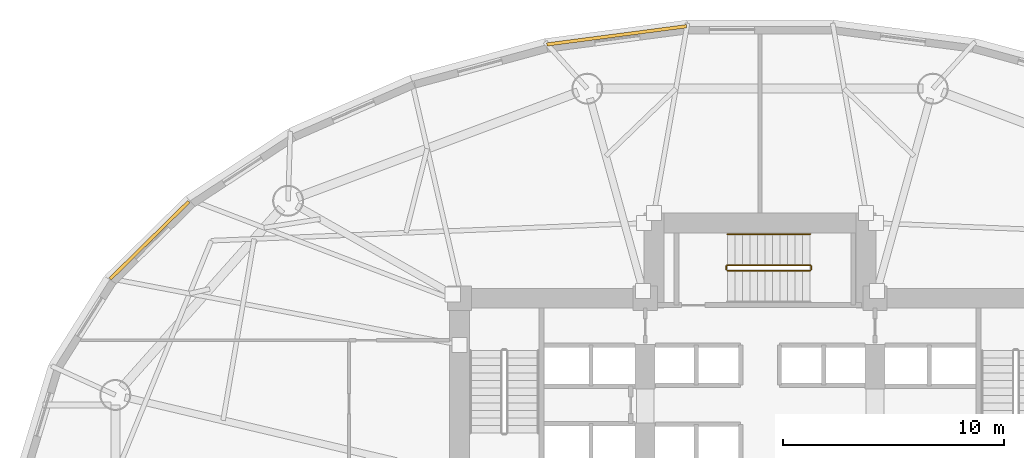
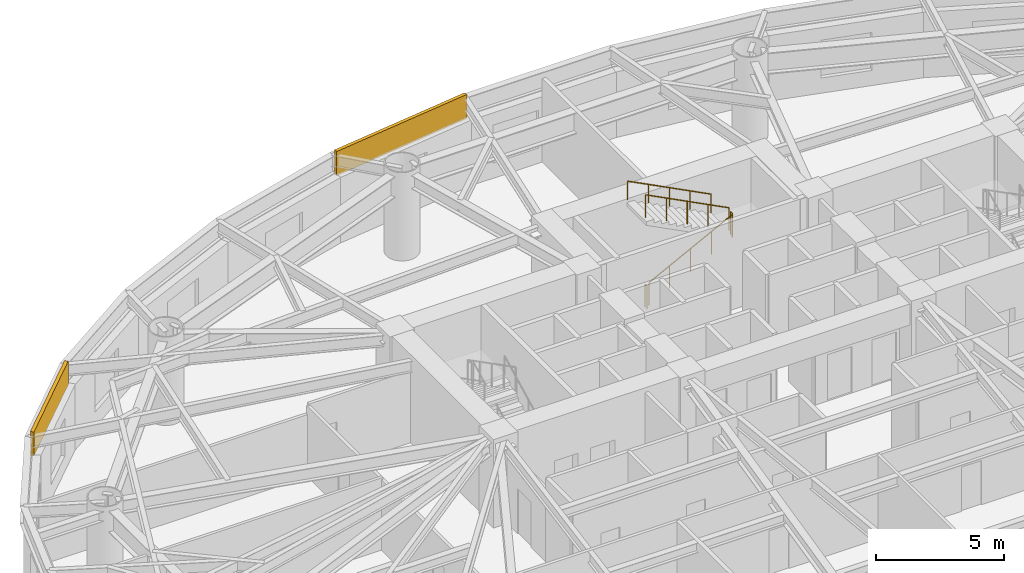
# One storey, part 13 of 14: 5 railings, 2 coverings.
"""IFC4 building model written with IfcOpenShell, lengths in metres."""

from ifc_helpers import new_model, si_unit, direction, frame, origin, origin_2d, place, context, subcontext, project, spatial, rectangle, circle, extrude, material, layer, layer_set, type_object, element, save


model = new_model("IFC4")

# Units and contexts
model_context = context("Model", 3, precision=1e-05, world=origin(), true_north=direction((0.0, 1.0)))
body_context = subcontext(model_context, "Body", "Model", "MODEL_VIEW")
ifc_project = project(units=[si_unit("LENGTHUNIT", "METRE"), si_unit("AREAUNIT", "SQUARE_METRE"), si_unit("VOLUMEUNIT", "CUBIC_METRE"), si_unit("PLANEANGLEUNIT", "RADIAN"), si_unit("MASSUNIT", "GRAM", prefix="KILO")], contexts=[model_context])

# Site, building, storey
site_placement = place(None, origin())
site = spatial("IfcSite", under=ifc_project, at=site_placement, CompositionType="ELEMENT")
building_placement = place(site_placement, origin())
building = spatial("IfcBuilding", under=site, at=building_placement, Name="Keldmark Tower", CompositionType="ELEMENT")
storey_placement = place(building_placement, frame((0.0, 0.0, 18.60009765625)))
storey = spatial("IfcBuildingStorey", under=building, at=storey_placement, Name="L04", CompositionType="ELEMENT", Elevation=18.60009765625)

# Coverings
ifc_material_1 = material(Name="Honed Kasota Buff Dolomitic Limestone", Category="masonry")
ifc_layer = layer(ifc_material_1, 0.074951171875)
ifc_layer_set = layer_set([ifc_layer], Name="Honed Kasota Buff Dolomitic Limestone")
covering_type = type_object("IfcCoveringType", Name="Kasota Buff Limestone Spandrel Cladding Band", PredefinedType="CLADDING", material=ifc_layer_set)
covering_1_placement = place(storey_placement, frame((-6.487060546875, 21.344482421875, 3.032958984375), z_axis=(0.0, 0.0, 1.0), x_axis=(-0.991574223108, -0.129539801092, 0.0)))
element("IfcCovering", 1, at=covering_1_placement, inside=storey, type_object=covering_type, Name="L04 Kasota Limestone Spandrel Band 09", PredefinedType="CLADDING", context=body_context, shape_type="SweptSolid", body=[
    extrude(rectangle(XDim=6.37548828125, YDim=0.14990234375, at=origin_2d()), origin(), (0.0, 0.0, 1.0), 1.14697265625),
])
covering_2_placement = place(storey_placement, frame((-27.62890625, 12.071044921875, 3.032958984375), z_axis=(0.0, 0.0, 1.0), x_axis=(-0.713189280566, -0.700971504475, 0.0)))
element("IfcCovering", 2, at=covering_2_placement, inside=storey, type_object=covering_type, Name="L04 Kasota Limestone Spandrel Band 13", PredefinedType="CLADDING", context=body_context, shape_type="SweptSolid", body=[
    extrude(rectangle(XDim=4.995849609375, YDim=0.14990234375, at=origin_2d()), origin(), (0.0, 0.0, 1.0), 1.14697265625),
])

# Railings
ifc_material_2 = material(Name="Painted Steel ASTM A500 Grade B", Category="steel")
railing_type_1 = type_object("IfcRailingType", Name="Painted Steel Stair Well Guard 1100 mm", PredefinedType="GUARDRAIL", material=ifc_material_2)
railing_1_placement = place(storey_placement, frame((-1.47509765625, 10.699951171875, 0.1748046875)))
element("IfcRailing", 3, at=railing_1_placement, inside=storey, type_object=railing_type_1, Name="L04 ST3 stair guard 1", PredefinedType="GUARDRAIL", context=body_context, shape_type="SweptSolid", body=[
    extrude(circle(Radius=0.02392578125, at=origin_2d()), frame((0.0, 0.0, 1.076171875), z_axis=(0.889130600629, 0.0, 0.457653553493), x_axis=(0.0, 1.0, 0.0)), (0.0, 0.0, 1.0), 4.206298828125),
    extrude(circle(Radius=0.02099609375, at=origin_2d()), origin(), (0.0, 0.0, 1.0), 1.052001953125),
    extrude(circle(Radius=0.02099609375, at=origin_2d()), frame((0.93505859375, 0.0, 0.481201171875)), (0.0, 0.0, 1.0), 1.052001953125),
    extrude(circle(Radius=0.02099609375, at=origin_2d()), frame((1.8701171875, 0.0, 0.96240234375)), (0.0, 0.0, 1.0), 1.052001953125),
    extrude(circle(Radius=0.02099609375, at=origin_2d()), frame((2.804931640625, 0.0, 1.44384765625)), (0.0, 0.0, 1.0), 1.052001953125),
    extrude(circle(Radius=0.02099609375, at=origin_2d()), frame((3.739990234375, 0.0, 1.925048828125)), (0.0, 0.0, 1.0), 1.052001953125),
])
railing_2_placement = place(storey_placement, frame((2.31494140625, 10.75, 2.099853515625)))
element("IfcRailing", 4, at=railing_2_placement, inside=storey, type_object=railing_type_1, Name="L04 ST3 stair guard 2", PredefinedType="GUARDRAIL", context=body_context, shape_type="SweptSolid", body=[
    extrude(circle(Radius=0.02392578125, at=origin_2d()), frame((0.0, 0.0, 1.076171875), z_axis=(0.0, 1.0, 0.0), x_axis=(-1.0, 0.0, 0.0)), (0.0, 0.0, 1.0), 0.14990234375),
    extrude(circle(Radius=0.02099609375, at=origin_2d()), origin(), (0.0, 0.0, 1.0), 1.052001953125),
    extrude(circle(Radius=0.02099609375, at=origin_2d()), frame((0.0, 0.14990234375, 0.0)), (0.0, 0.0, 1.0), 1.052001953125),
])
railing_3_placement = place(storey_placement, frame((2.264892578125, 10.949951171875, 2.27490234375)))
element("IfcRailing", 5, at=railing_3_placement, inside=storey, type_object=railing_type_1, Name="L04 ST3 stair guard 3", PredefinedType="GUARDRAIL", context=body_context, shape_type="SweptSolid", body=[
    extrude(circle(Radius=0.02392578125, at=origin_2d()), frame((0.0, 0.0, 1.076171875), z_axis=(-0.889130600629, 0.0, 0.457653553493), x_axis=(0.0, -1.0, 0.0)), (0.0, 0.0, 1.0), 4.206298828125),
    extrude(circle(Radius=0.02099609375, at=origin_2d()), origin(), (0.0, 0.0, 1.0), 1.052001953125),
    extrude(circle(Radius=0.02099609375, at=origin_2d()), frame((-0.93505859375, 0.0, 0.481201171875)), (0.0, 0.0, 1.0), 1.052001953125),
    extrude(circle(Radius=0.02099609375, at=origin_2d()), frame((-1.8701171875, 0.0, 0.96240234375)), (0.0, 0.0, 1.0), 1.052001953125),
    extrude(circle(Radius=0.02099609375, at=origin_2d()), frame((-2.804931640625, 0.0, 1.44384765625)), (0.0, 0.0, 1.0), 1.052001953125),
    extrude(circle(Radius=0.02099609375, at=origin_2d()), frame((-3.739990234375, 0.0, 1.925048828125)), (0.0, 0.0, 1.0), 1.052001953125),
])
railing_4_placement = place(storey_placement, frame((-1.52490234375, 10.75, 0.0)))
element("IfcRailing", 6, at=railing_4_placement, inside=storey, type_object=railing_type_1, Name="L04 ST3 stair guard 4", PredefinedType="GUARDRAIL", context=body_context, shape_type="SweptSolid", body=[
    extrude(circle(Radius=0.02392578125, at=origin_2d()), frame((0.0, 0.0, 1.076171875), z_axis=(0.0, 1.0, 0.0), x_axis=(-1.0, 0.0, 0.0)), (0.0, 0.0, 1.0), 0.14990234375),
    extrude(circle(Radius=0.02099609375, at=origin_2d()), origin(), (0.0, 0.0, 1.0), 1.052001953125),
    extrude(circle(Radius=0.02099609375, at=origin_2d()), frame((0.0, 0.14990234375, 0.0)), (0.0, 0.0, 1.0), 1.052001953125),
])
ifc_material_3 = material(Name="Stainless Steel AISI 316L", Category="steel")
railing_type_2 = type_object("IfcRailingType", Name="Stainless Steel Stair Handrail 900 mm", PredefinedType="HANDRAIL", material=ifc_material_3)
railing_5_placement = place(storey_placement, frame((2.264892578125, 12.35009765625, 2.27490234375)))
element("IfcRailing", 7, at=railing_5_placement, inside=storey, type_object=railing_type_2, Name="L04 ST3 stair handrail 2", PredefinedType="HANDRAIL", context=body_context, shape_type="SweptSolid", body=[
    extrude(circle(Radius=0.02392578125, at=origin_2d()), frame((0.0, 0.0, 0.8759765625), z_axis=(-0.889130600629, 0.0, 0.457653553493), x_axis=(0.0, -1.0, 0.0)), (0.0, 0.0, 1.0), 4.206298828125),
    extrude(circle(Radius=0.02099609375, at=origin_2d()), origin(), (0.0, 0.0, 1.0), 0.851806640625),
    extrude(circle(Radius=0.02099609375, at=origin_2d()), frame((-0.93505859375, 0.0, 0.481201171875)), (0.0, 0.0, 1.0), 0.851806640625),
    extrude(circle(Radius=0.02099609375, at=origin_2d()), frame((-1.8701171875, 0.0, 0.96240234375)), (0.0, 0.0, 1.0), 0.851806640625),
    extrude(circle(Radius=0.02099609375, at=origin_2d()), frame((-2.804931640625, 0.0, 1.44384765625)), (0.0, 0.0, 1.0), 0.851806640625),
    extrude(circle(Radius=0.02099609375, at=origin_2d()), frame((-3.739990234375, 0.0, 1.925048828125)), (0.0, 0.0, 1.0), 0.851806640625),
])

save(model, "model.ifc")
